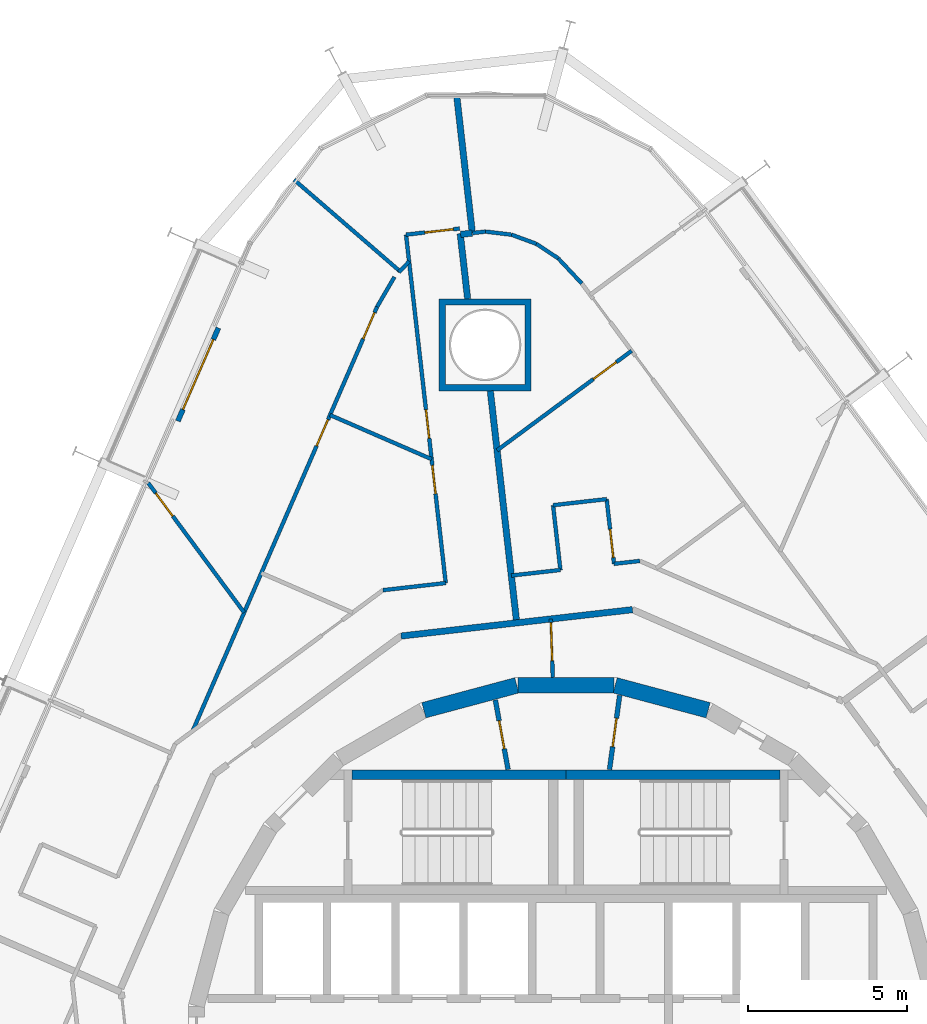
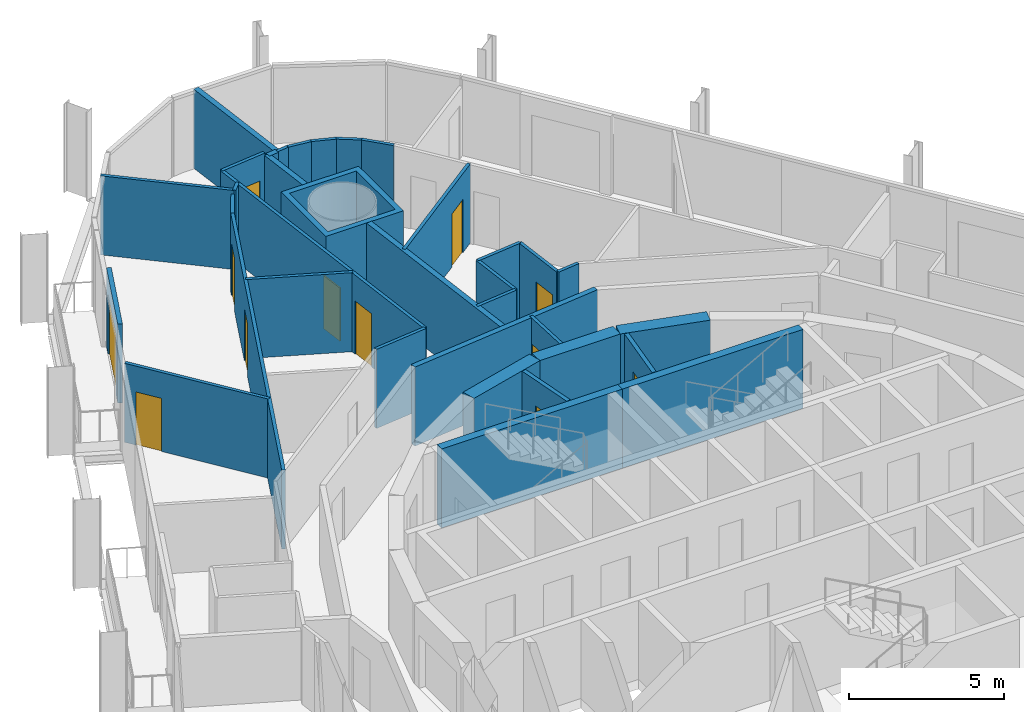
# One storey, part 21 of 24: 35 walls, 12 doors, 12 openings.
"""IFC4 building model written with IfcOpenShell, lengths in metres."""

import ifcopenshell
import ifcopenshell.guid

model = None  # the IFC model being written
_history = None  # IfcOwnerHistory: only IFC2X3 demands one
_inside = {}  # id of a spatial element -> (the spatial element, [elements in it])
_under = {}  # id of a project, library or spatial element -> (it, [spatial elements below it])
_declared = {}  # id of a project -> (the project, [libraries it declares])
_typed = {}  # id of a type object -> (the type object, [elements of that type])
_made_of = {}  # id of a material, layer set ... -> (it, [elements and type objects made of it])


def new_model(schema):
    """Start an empty IFC model of exactly this schema.

    Asked for "IFC4X3", IfcOpenShell would pick the latest addendum, in which some entities
    have other attributes; the version numbers below select the first issue.
    IFC2X3 requires an IfcOwnerHistory on every rooted entity: one is made here for all.
    """
    global model, _history
    if schema == "IFC4X3":
        model = ifcopenshell.file(schema_version=(4, 3, 0, 0))
    else:
        model = ifcopenshell.file(schema=schema)
    _inside.clear()
    _under.clear()
    _declared.clear()
    _typed.clear()
    _made_of.clear()
    _history = None
    if model.schema == "IFC2X3":
        org = make("IfcOrganization", Name="unknown")
        user = make(
            "IfcPersonAndOrganization",
            ThePerson=make("IfcPerson", FamilyName="unknown"),
            TheOrganization=org,
        )
        app = make(
            "IfcApplication",
            ApplicationDeveloper=org,
            Version="unknown",
            ApplicationFullName="unknown",
            ApplicationIdentifier="unknown",
        )
        _history = make(
            "IfcOwnerHistory",
            OwningUser=user,
            OwningApplication=app,
            ChangeAction="ADDED",
            CreationDate=0,
        )
    return model


def make(cls, **values):
    """One entity of the class cls with the attributes given. An attribute that is None is left unset."""
    return model.create_entity(
        cls, **{name: value for name, value in values.items() if value is not None}
    )


def rooted(cls, **values):
    """An entity with a GlobalId (a new one), such as an element, a storey or a relation."""
    return make(cls, GlobalId=ifcopenshell.guid.new(), OwnerHistory=_history, **values)


def si_unit(unit_type, name, prefix=None):
    """IfcSIUnit, for example si_unit("LENGTHUNIT", "METRE", prefix="MILLI")."""
    return make("IfcSIUnit", UnitType=unit_type, Prefix=prefix, Name=name)


def assignment(units):
    """IfcUnitAssignment: the units of a project."""
    return None if units is None else make("IfcUnitAssignment", Units=units)


def point(xyz):
    """IfcCartesianPoint."""
    return None if xyz is None else make("IfcCartesianPoint", Coordinates=xyz)


def direction(xyz):
    """IfcDirection."""
    return None if xyz is None else make("IfcDirection", DirectionRatios=xyz)


def frame(location, z_axis=None, x_axis=None):
    """IfcAxis2Placement3D, a coordinate frame: its origin and axes. An axis left out is left unset."""
    return make(
        "IfcAxis2Placement3D",
        Location=point(location),
        Axis=direction(z_axis),
        RefDirection=direction(x_axis),
    )


def frame_2d(location, x_axis=None):
    """IfcAxis2Placement2D, a coordinate frame in the plane: its origin and x axis."""
    return make(
        "IfcAxis2Placement2D", Location=point(location), RefDirection=direction(x_axis)
    )


def origin():
    """The frame at (0, 0, 0) with its axes left unset."""
    return frame((0.0, 0.0, 0.0))


def place(relative_to, where):
    """IfcLocalPlacement: puts the frame where relative to a parent placement (None: the world)."""
    return make(
        "IfcLocalPlacement", PlacementRelTo=relative_to, RelativePlacement=where
    )


def context(
    kind, dimensions, precision=None, world=None, true_north=None, identifier=None
):
    """IfcGeometricRepresentationContext, for example the 3D "Model" context."""
    return make(
        "IfcGeometricRepresentationContext",
        ContextIdentifier=identifier,
        ContextType=kind,
        CoordinateSpaceDimension=dimensions,
        Precision=precision,
        WorldCoordinateSystem=world,
        TrueNorth=true_north,
    )


def subcontext(parent, identifier, kind, view, scale=None):
    """IfcGeometricRepresentationSubContext, for example "Body" below "Model"."""
    return make(
        "IfcGeometricRepresentationSubContext",
        ContextIdentifier=identifier,
        ContextType=kind,
        ParentContext=parent,
        TargetScale=scale,
        TargetView=view,
    )


def project(units=None, contexts=None):
    """IfcProject with its units and contexts."""
    return rooted(
        "IfcProject",
        Name="project",
        RepresentationContexts=contexts,
        UnitsInContext=assignment(units),
    )


def spatial(cls, under=None, at=None, **own):
    """A site, building, storey or space (cls), placed at a placement, below another one or the project."""
    s = rooted(cls, ObjectPlacement=at, **own)
    if under is not None:
        _under.setdefault(under.id(), (under, []))[1].append(s)
    return s


def polyline(points):
    """IfcPolyline through the points."""
    return make("IfcPolyline", Points=[point(p) for p in points])


def profile(cls, at=None, kind="AREA", **sizes):
    """A parametric profile (cls). Its sizes go by their IFC names, for example OverallWidth=200.0."""
    return make(cls, ProfileType=kind, Position=at, **sizes)


def rectangle(**sizes):
    """IfcRectangleProfileDef."""
    return profile("IfcRectangleProfileDef", **sizes)


def outline(outer, holes=None, kind="AREA"):
    """IfcArbitraryClosedProfileDef: a profile drawn as a closed curve; with holes, ...WithVoids."""
    if holes is None:
        return make("IfcArbitraryClosedProfileDef", ProfileType=kind, OuterCurve=outer)
    return make(
        "IfcArbitraryProfileDefWithVoids",
        ProfileType=kind,
        OuterCurve=outer,
        InnerCurves=holes,
    )


def extrude(swept, where, along, depth):
    """IfcExtrudedAreaSolid: the profile swept, set in the frame where, extruded along a direction by depth."""
    return make(
        "IfcExtrudedAreaSolid",
        SweptArea=swept,
        Position=where,
        ExtrudedDirection=direction(along),
        Depth=depth,
    )


def shape(context_of_items, identifier, shape_type, items):
    """IfcShapeRepresentation: the items that make up one representation, for example the "Body"."""
    return make(
        "IfcShapeRepresentation",
        ContextOfItems=context_of_items,
        RepresentationIdentifier=identifier,
        RepresentationType=shape_type,
        Items=items,
    )


def material(Name=None, Category=None):
    """IfcMaterial."""
    return make("IfcMaterial", Name=Name, Category=Category)


def layer(
    of_material, thickness, ventilated=None, Name=None, Category=None, Priority=None
):
    """IfcMaterialLayer: one layer of a wall or slab, of a material (None: an air gap)."""
    return make(
        "IfcMaterialLayer",
        Material=of_material,
        LayerThickness=thickness,
        IsVentilated=ventilated,
        Name=Name,
        Category=Category,
        Priority=Priority,
    )


def layer_set(layers, Name=None):
    """IfcMaterialLayerSet."""
    return make("IfcMaterialLayerSet", MaterialLayers=layers, LayerSetName=Name)


def made_of(thing, what):
    """Note that an element or type object is made of a material, layer set ...; save() writes the relation."""
    if what is not None:
        _made_of.setdefault(what.id(), (what, []))[1].append(thing)
    return thing


def type_object(cls, material=None, **own):
    """A type object (cls), such as IfcWallType, which elements share."""
    return made_of(rooted(cls, **own), material)


def element(
    cls,
    number,
    at=None,
    inside=None,
    cuts=None,
    type_object=None,
    material=None,
    context=None,
    identifier="Body",
    shape_type=None,
    held_by="IfcProductDefinitionShape",
    body=None,
    shapes=None,
    **own,
):
    """One element of the class cls, such as IfcWall. Its Tag is "e" and its number.

    at: its placement. inside: the storey or other place that contains it. cuts: it is an
    opening in that element (IfcRelVoidsElement). A single representation is given by context,
    identifier, shape_type and body (its items); several are given by shapes. held_by: the class
    of the entity that holds the representations. save() writes the other relations.
    """
    e = rooted(cls, Tag="e%d" % number, ObjectPlacement=at, **own)
    if body is not None:
        shapes = [shape(context, identifier, shape_type, body)]
    if shapes is not None:
        e.Representation = make(held_by, Representations=shapes)
    if inside is not None:
        _inside.setdefault(inside.id(), (inside, []))[1].append(e)
    if cuts is not None:
        rooted(
            "IfcRelVoidsElement", RelatingBuildingElement=cuts, RelatedOpeningElement=e
        )
    if type_object is not None:
        _typed.setdefault(type_object.id(), (type_object, []))[1].append(e)
    return made_of(e, material)


def fill(opening, filler):
    """IfcRelFillsElement: the door or window that sits in an opening."""
    return rooted(
        "IfcRelFillsElement",
        RelatingOpeningElement=opening,
        RelatedBuildingElement=filler,
    )


def aggregate(whole, parts):
    """IfcRelAggregates: a whole, such as a stair, and the parts it consists of."""
    return rooted("IfcRelAggregates", RelatingObject=whole, RelatedObjects=parts)


def save(model, path):
    """Write the relations noted so far, then the file.

    IfcRelAggregates (storeys below a building ...), IfcRelContainedInSpatialStructure (elements
    in a storey), IfcRelDefinesByType, IfcRelAssociatesMaterial and IfcRelDeclares: one each for
    every whole, place, type object, material and project.
    """
    for whole, parts in _under.values():
        aggregate(whole, parts)
    for where, things in _inside.values():
        rooted(
            "IfcRelContainedInSpatialStructure",
            RelatedElements=things,
            RelatingStructure=where,
        )
    for kind, things in _typed.values():
        rooted("IfcRelDefinesByType", RelatedObjects=things, RelatingType=kind)
    for what, things in _made_of.values():
        rooted("IfcRelAssociatesMaterial", RelatedObjects=things, RelatingMaterial=what)
    for by, libraries in _declared.values():
        rooted("IfcRelDeclares", RelatingContext=by, RelatedDefinitions=libraries)
    model.write(path)


model = new_model("IFC4")

# Units and contexts
model_context = context("Model", 3, precision=1e-05, world=origin(), true_north=direction((0.0, 1.0)))
body_context = subcontext(model_context, "Body", "Model", "MODEL_VIEW")
ifc_project = project(units=[si_unit("LENGTHUNIT", "METRE"), si_unit("AREAUNIT", "SQUARE_METRE"), si_unit("VOLUMEUNIT", "CUBIC_METRE"), si_unit("PLANEANGLEUNIT", "RADIAN"), si_unit("MASSUNIT", "GRAM", prefix="KILO")], contexts=[model_context])

# Site, building, storey
site_placement = place(None, origin())
site = spatial("IfcSite", under=ifc_project, at=site_placement, CompositionType="ELEMENT")
building_placement = place(site_placement, origin())
building = spatial("IfcBuilding", under=site, at=building_placement, Name="Spindle Arch Residences", CompositionType="ELEMENT")
storey_placement = place(building_placement, frame((0.0, 0.0, 101.199951171875)))
storey = spatial("IfcBuildingStorey", under=building, at=storey_placement, Name="L24", CompositionType="ELEMENT", Elevation=101.199951171875)

# Walls
ifc_material_1 = material(Name="Concrete C50/60", Category="concrete")
ifc_layer_1 = layer(ifc_material_1, 0.5)
ifc_layer_set_1 = layer_set([ifc_layer_1], Name="Core outline wall 500")
wall_type_1 = type_object("IfcWallType", Name="Core outline wall 500", PredefinedType="SHEAR", material=ifc_layer_set_1)
for number, where, z_axis, x_axis, name in (
    (1, (4.479248046875, 10.858154296875, 0.0), (0.0, 0.0, 1.0), (-0.965948410781, 0.258734743916, 0.0), "Core outline wall 11"),
    (2, (1.516357421875, 11.647216796875, 0.0), (0.0, 0.0, 1.0), (-1.0, 0.0, 0.0), "Core outline wall 12"),
    (3, (-1.5498046875, 11.642822265625, 0.0), (0.0, 0.0, 1.0), (-0.965948410781, -0.258734743916, 0.0), "Core outline wall 13"),
):
    element("IfcWall", number, at=place(storey_placement, frame(where, z_axis=z_axis, x_axis=x_axis)), inside=storey, type_object=wall_type_1, Name=name, PredefinedType="SHEAR", context=body_context, shape_type="SweptSolid", body=[
        extrude(rectangle(XDim=3.03271484375, YDim=0.5, at=frame_2d((1.516357421875, 0.0))), origin(), (0.0, 0.0, 1.0), 3.1201171875),
    ])

# Wall, opening, door
ifc_material_2 = material(Name="Plasterboard on steel studs", Category="steel")
ifc_layer_2 = layer(ifc_material_2, 0.1201171875)
ifc_layer_set_2 = layer_set([ifc_layer_2], Name="Corridor division wall 120")
wall_type_2 = type_object("IfcWallType", Name="Corridor division wall 120", PredefinedType="PARTITIONING", material=ifc_layer_set_2)
wall_1_placement = place(storey_placement, frame((-0.4794921875, 13.73388671875, 0.0), z_axis=(0.0, 0.0, 1.0), x_axis=(0.034805430832, -0.999394107439, 0.0)))
wall_1 = element("IfcWall", 4, at=wall_1_placement, inside=storey, type_object=wall_type_2, Name="Corridor division wall R2C1-W001", PredefinedType="PARTITIONING", context=body_context, shape_type="SweptSolid", body=[
    extrude(rectangle(XDim=1.837890625, YDim=0.1201171875, at=frame_2d((0.9189453125, 0.0))), origin(), (0.0, 0.0, 1.0), 3.1201171875),
])
opening_1_placement = place(wall_1_placement, frame((0.114990234375, 0.0, 0.0)))
opening_1 = element("IfcOpeningElement", 5, at=opening_1_placement, cuts=wall_1, Name="Opening R2C1-CD01", PredefinedType="OPENING", context=body_context, shape_type="SweptSolid", body=[
    extrude(rectangle(XDim=1.199951171875, YDim=2.10009765625, at=frame_2d((0.60009765625, 1.050048828125))), frame((0.0, 0.070068359375, 0.0), z_axis=(0.0, -1.0, 0.0), x_axis=(1.0, 0.0, 0.0)), (0.0, 0.0, 1.0), 0.14013671875),
])
ifc_material_3 = material(Name="Steel, fire-resisting door", Category="steel")
door_type_1 = type_object("IfcDoorType", Name="Corridor division door 1200x2100", OperationType="NOTDEFINED", PredefinedType="DOOR", material=ifc_material_3)
door_1_placement = place(opening_1_placement, origin())
door_1 = element("IfcDoor", 6, at=door_1_placement, inside=storey, type_object=door_type_1, Name="Corridor division door R2C1-CD01", OperationType="DOUBLE_DOOR_SINGLE_SWING", OverallHeight=2.10009765625, OverallWidth=1.199951171875, PredefinedType="DOOR", context=body_context, shape_type="SweptSolid", body=[
    extrude(rectangle(XDim=1.199951171875, YDim=2.10009765625, at=frame_2d((0.60009765625, 1.050048828125))), frame((0.0, 0.02490234375, 0.0), z_axis=(0.0, -1.0, 0.0), x_axis=(1.0, 0.0, 0.0)), (0.0, 0.0, 1.0), 0.050048828125),
])
fill(opening_1, door_1)

# Walls
ifc_material_4 = material(Name="Calcium silicate block, plastered")
ifc_layer_3 = layer(ifc_material_4, 0.199951171875)
ifc_layer_set_3 = layer_set([ifc_layer_3], Name="Corridor wall 200")
wall_type_3 = type_object("IfcWallType", Name="Corridor wall 200", PredefinedType="STANDARD", material=ifc_layer_set_3)
wall_2_placement = place(storey_placement, frame((2.096435546875, 14.027587890625, 0.0), z_axis=(0.0, 0.0, 1.0), x_axis=(-0.993569170114, -0.113226782163, 0.0)))
element("IfcWall", 7, at=wall_2_placement, inside=storey, type_object=wall_type_3, Name="Corridor wall R2C1-W008", PredefinedType="STANDARD", context=body_context, shape_type="SweptSolid", body=[
    extrude(rectangle(XDim=7.341796875, YDim=0.199951171875, at=frame_2d((3.6708984375, 0.0))), origin(), (0.0, 0.0, 1.0), 3.1201171875),
])
ifc_material_5 = material(Name="Plasterboard on steel studs", Category="steel")
ifc_layer_4 = layer(ifc_material_5, 0.1201171875)
ifc_layer_set_4 = layer_set([ifc_layer_4], Name="Flat partition 120")
wall_type_4 = type_object("IfcWallType", Name="Flat partition 120", PredefinedType="PARTITIONING", material=ifc_layer_set_4)
wall_3_placement = place(storey_placement, frame((2.325927734375, 15.563232421875, 0.0), z_axis=(0.0, 0.0, 1.0), x_axis=(-0.993570169982, -0.113218007944, 0.0)))
element("IfcWall", 8, at=wall_3_placement, inside=storey, type_object=wall_type_4, Name="Flat partition R2C1-W051", PredefinedType="PARTITIONING", context=body_context, shape_type="SweptSolid", body=[
    extrude(rectangle(XDim=0.8173828125, YDim=0.1201171875, at=frame_2d((0.40869140625, 0.0))), origin(), (0.0, 0.0, 1.0), 3.1201171875),
])

# Wall, opening, door
wall_4_placement = place(storey_placement, frame((1.513916015625, 15.470703125, 0.0), z_axis=(0.0, 0.0, 1.0), x_axis=(-0.113301814952, 0.993560616535, 0.0)))
wall_4 = element("IfcWall", 9, at=wall_4_placement, inside=storey, type_object=wall_type_4, Name="Flat partition R2C1-W052", PredefinedType="PARTITIONING", context=body_context, shape_type="SweptSolid", body=[
    extrude(rectangle(XDim=2.053466796875, YDim=0.1201171875, at=frame_2d((1.02685546875, 0.0))), origin(), (0.0, 0.0, 1.0), 3.1201171875),
])
opening_2_placement = place(wall_4_placement, frame((0.199951171875, 0.0, 0.0)))
opening_2 = element("IfcOpeningElement", 10, at=opening_2_placement, cuts=wall_4, Name="Opening R2C1-ID08", PredefinedType="OPENING", context=body_context, shape_type="SweptSolid", body=[
    extrude(rectangle(XDim=0.89990234375, YDim=2.10009765625, at=frame_2d((0.449951171875, 1.050048828125))), frame((0.0, 0.070068359375, 0.0), z_axis=(0.0, -1.0, 0.0), x_axis=(1.0, 0.0, 0.0)), (0.0, 0.0, 1.0), 0.14013671875),
])
ifc_material_6 = material(Name="Timber door set", Category="wood")
door_type_2 = type_object("IfcDoorType", Name="Room door 900x2100", OperationType="NOTDEFINED", PredefinedType="DOOR", material=ifc_material_6)
door_2_placement = place(opening_2_placement, origin())
door_2 = element("IfcDoor", 11, at=door_2_placement, inside=storey, type_object=door_type_2, Name="Room door R2C1-ID08", OperationType="SINGLE_SWING_RIGHT", OverallHeight=2.10009765625, OverallWidth=0.89990234375, PredefinedType="DOOR", context=body_context, shape_type="SweptSolid", body=[
    extrude(rectangle(XDim=0.89990234375, YDim=2.10009765625, at=frame_2d((0.449951171875, 1.050048828125))), frame((0.0, 0.02490234375, 0.0), z_axis=(0.0, -1.0, 0.0), x_axis=(1.0, 0.0, 0.0)), (0.0, 0.0, 1.0), 0.050048828125),
])
fill(opening_2, door_2)

# Walls
wall_5_placement = place(storey_placement, frame((1.28125, 17.510986328125, 0.0), z_axis=(0.0, 0.0, 1.0), x_axis=(-0.993575191649, -0.113173930474, 0.0)))
element("IfcWall", 12, at=wall_5_placement, inside=storey, type_object=wall_type_4, Name="Flat partition R2C1-W053", PredefinedType="PARTITIONING", context=body_context, shape_type="SweptSolid", body=[
    extrude(rectangle(XDim=1.699951171875, YDim=0.1201171875, at=frame_2d((0.85009765625, 0.0))), origin(), (0.0, 0.0, 1.0), 3.1201171875),
])
wall_6_placement = place(storey_placement, frame((-0.40771484375, 17.318603515625, 0.0), z_axis=(0.0, 0.0, 1.0), x_axis=(0.113184449176, -0.993573993452, 0.0)))
element("IfcWall", 13, at=wall_6_placement, inside=storey, type_object=wall_type_4, Name="Flat partition R2C1-W054", PredefinedType="PARTITIONING", context=body_context, shape_type="SweptSolid", body=[
    extrude(rectangle(XDim=2.053466796875, YDim=0.1201171875, at=frame_2d((1.02685546875, 0.0))), origin(), (0.0, 0.0, 1.0), 3.1201171875),
])
wall_7_placement = place(storey_placement, frame((-0.17529296875, 15.2783203125, 0.0), z_axis=(0.0, 0.0, 1.0), x_axis=(-0.993575604955, -0.113170301923, 0.0)))
element("IfcWall", 14, at=wall_7_placement, inside=storey, type_object=wall_type_4, Name="Flat partition R2C1-W055", PredefinedType="PARTITIONING", context=body_context, shape_type="SweptSolid", body=[
    extrude(rectangle(XDim=1.555419921875, YDim=0.1201171875, at=frame_2d((0.77783203125, 0.0))), origin(), (0.0, 0.0, 1.0), 3.1201171875),
])

# Wall, opening, door
wall_8_placement = place(storey_placement, frame((2.068359375, 22.182861328125, 0.0), z_axis=(0.0, 0.0, 1.0), x_axis=(-0.803867138365, -0.594808896921, 0.0)))
wall_8 = element("IfcWall", 15, at=wall_8_placement, inside=storey, type_object=wall_type_4, Name="Flat partition R2C1-W060", PredefinedType="PARTITIONING", context=body_context, shape_type="SweptSolid", body=[
    extrude(rectangle(XDim=5.272705078125, YDim=0.1201171875, at=frame_2d((2.63623046875, 0.0))), origin(), (0.0, 0.0, 1.0), 3.1201171875),
])
opening_3_placement = place(wall_8_placement, frame((0.60009765625, 0.0, 0.0)))
opening_3 = element("IfcOpeningElement", 16, at=opening_3_placement, cuts=wall_8, Name="Opening R2C1-ID10", PredefinedType="OPENING", context=body_context, shape_type="SweptSolid", body=[
    extrude(rectangle(XDim=0.89990234375, YDim=2.10009765625, at=frame_2d((0.449951171875, 1.050048828125))), frame((0.0, 0.070068359375, 0.0), z_axis=(0.0, -1.0, 0.0), x_axis=(1.0, 0.0, 0.0)), (0.0, 0.0, 1.0), 0.14013671875),
])
door_3_placement = place(opening_3_placement, origin())
door_3 = element("IfcDoor", 17, at=door_3_placement, inside=storey, type_object=door_type_2, Name="Room door R2C1-ID10", OperationType="SINGLE_SWING_RIGHT", OverallHeight=2.10009765625, OverallWidth=0.89990234375, PredefinedType="DOOR", context=body_context, shape_type="SweptSolid", body=[
    extrude(rectangle(XDim=0.89990234375, YDim=2.10009765625, at=frame_2d((0.449951171875, 1.050048828125))), frame((0.0, 0.02490234375, 0.0), z_axis=(0.0, -1.0, 0.0), x_axis=(1.0, 0.0, 0.0)), (0.0, 0.0, 1.0), 0.050048828125),
])
fill(opening_3, door_3)

# Walls
wall_9_placement = place(storey_placement, frame((-2.9501953125, 25.893310546875, 0.0), z_axis=(0.0, 0.0, 1.0), x_axis=(0.993519378224, 0.113662857141, 0.0)))
element("IfcWall", 18, at=wall_9_placement, inside=storey, type_object=wall_type_4, Name="Flat partition R2C1-W061", PredefinedType="PARTITIONING", context=body_context, shape_type="SweptSolid", body=[
    extrude(rectangle(XDim=0.41455078125, YDim=0.1201171875, at=frame_2d((0.207275390625, 0.0))), origin(), (0.0, 0.0, 1.0), 3.1201171875),
])
for number, where, z_axis, x_axis, name in (
    (19, (-2.538330078125, 25.9404296875, 0.0), (0.0, 0.0, 1.0), (0.992894945409, -0.118994232556, 0.0), "Flat partition R2C1-W062"),
    (20, (-1.71533203125, 25.841796875, 0.0), (0.0, 0.0, 1.0), (0.938644465852, -0.344886309856, 0.0), "Flat partition R2C1-W063"),
    (21, (-0.937255859375, 25.555908203125, 0.0), (0.0, 0.0, 1.0), (0.833858440069, -0.551978352769, 0.0), "Flat partition R2C1-W064"),
):
    element("IfcWall", number, at=place(storey_placement, frame(where, z_axis=z_axis, x_axis=x_axis)), inside=storey, type_object=wall_type_4, Name=name, PredefinedType="PARTITIONING", context=body_context, shape_type="SweptSolid", body=[
        extrude(rectangle(XDim=0.828857421875, YDim=0.1201171875, at=frame_2d((0.41455078125, 0.0))), origin(), (0.0, 0.0, 1.0), 3.1201171875),
    ])
wall_10_placement = place(storey_placement, frame((-0.24609375, 25.098388671875, 0.0), z_axis=(0.0, 0.0, 1.0), x_axis=(0.684172712488, -0.729320025426, 0.0)))
element("IfcWall", 22, at=wall_10_placement, inside=storey, type_object=wall_type_4, Name="Flat partition R2C1-W065", PredefinedType="PARTITIONING", context=body_context, shape_type="SweptSolid", body=[
    extrude(rectangle(XDim=1.0869140625, YDim=0.1201171875, at=frame_2d((0.54345703125, 0.0))), origin(), (0.0, 0.0, 1.0), 3.1201171875),
])

# Wall, opening, door
wall_11_placement = place(storey_placement, frame((-3.351318359375, 26.035888671875, 0.0), z_axis=(0.0, 0.0, 1.0), x_axis=(-0.993575191649, -0.113173930474, 0.0)))
wall_11 = element("IfcWall", 23, at=wall_11_placement, inside=storey, type_object=wall_type_4, Name="Flat partition R2C1-W066", PredefinedType="PARTITIONING", context=body_context, shape_type="SweptSolid", body=[
    extrude(rectangle(XDim=1.699951171875, YDim=0.1201171875, at=frame_2d((0.85009765625, 0.0))), origin(), (0.0, 0.0, 1.0), 3.1201171875),
])
opening_4_placement = place(wall_11_placement, frame((0.199951171875, 0.0, 0.0)))
opening_4 = element("IfcOpeningElement", 24, at=opening_4_placement, cuts=wall_11, Name="Opening R2C1-ID14", PredefinedType="OPENING", context=body_context, shape_type="SweptSolid", body=[
    extrude(rectangle(XDim=0.89990234375, YDim=2.10009765625, at=frame_2d((0.449951171875, 1.050048828125))), frame((0.0, 0.070068359375, 0.0), z_axis=(0.0, -1.0, 0.0), x_axis=(1.0, 0.0, 0.0)), (0.0, 0.0, 1.0), 0.14013671875),
])
door_4_placement = place(opening_4_placement, origin())
door_4 = element("IfcDoor", 25, at=door_4_placement, inside=storey, type_object=door_type_2, Name="Room door R2C1-ID14", OperationType="SINGLE_SWING_RIGHT", OverallHeight=2.10009765625, OverallWidth=0.89990234375, PredefinedType="DOOR", context=body_context, shape_type="SweptSolid", body=[
    extrude(rectangle(XDim=0.89990234375, YDim=2.10009765625, at=frame_2d((0.449951171875, 1.050048828125))), frame((0.0, 0.02490234375, 0.0), z_axis=(0.0, -1.0, 0.0), x_axis=(1.0, 0.0, 0.0)), (0.0, 0.0, 1.0), 0.050048828125),
])
fill(opening_4, door_4)

# Wall, openings, doors
wall_12_placement = place(storey_placement, frame((-5.040283203125, 25.843505859375, 0.0), z_axis=(0.0, 0.0, 1.0), x_axis=(0.1132106553, -0.993571007793, 0.0)))
wall_12 = element("IfcWall", 26, at=wall_12_placement, inside=storey, type_object=wall_type_4, Name="Flat partition R2C1-W067", PredefinedType="PARTITIONING", context=body_context, shape_type="SweptSolid", body=[
    extrude(rectangle(XDim=11.0478515625, YDim=0.1201171875, at=frame_2d((5.52392578125, 0.0))), origin(), (0.0, 0.0, 1.0), 3.1201171875),
])
opening_5_placement = place(wall_12_placement, frame((5.55126953125, 0.0, 0.0)))
opening_5 = element("IfcOpeningElement", 27, at=opening_5_placement, cuts=wall_12, Name="Opening R2C1-ID15", PredefinedType="OPENING", context=body_context, shape_type="SweptSolid", body=[
    extrude(rectangle(XDim=0.89990234375, YDim=2.10009765625, at=frame_2d((0.449951171875, 1.050048828125))), frame((0.0, 0.070068359375, 0.0), z_axis=(0.0, -1.0, 0.0), x_axis=(1.0, 0.0, 0.0)), (0.0, 0.0, 1.0), 0.14013671875),
])
opening_6_placement = place(wall_12_placement, frame((7.320068359375, 0.0, 0.0)))
opening_6 = element("IfcOpeningElement", 28, at=opening_6_placement, cuts=wall_12, Name="Opening R2C1-ID16", PredefinedType="OPENING", context=body_context, shape_type="SweptSolid", body=[
    extrude(rectangle(XDim=0.89990234375, YDim=2.10009765625, at=frame_2d((0.449951171875, 1.050048828125))), frame((0.0, 0.070068359375, 0.0), z_axis=(0.0, -1.0, 0.0), x_axis=(1.0, 0.0, 0.0)), (0.0, 0.0, 1.0), 0.14013671875),
])
door_5_placement = place(opening_5_placement, origin())
door_5 = element("IfcDoor", 29, at=door_5_placement, inside=storey, type_object=door_type_2, Name="Room door R2C1-ID15", OperationType="SINGLE_SWING_LEFT", OverallHeight=2.10009765625, OverallWidth=0.89990234375, PredefinedType="DOOR", context=body_context, shape_type="SweptSolid", body=[
    extrude(rectangle(XDim=0.89990234375, YDim=2.10009765625, at=frame_2d((0.449951171875, 1.050048828125))), frame((0.0, 0.02490234375, 0.0), z_axis=(0.0, -1.0, 0.0), x_axis=(1.0, 0.0, 0.0)), (0.0, 0.0, 1.0), 0.050048828125),
])
fill(opening_5, door_5)
door_6_placement = place(opening_6_placement, origin())
door_6 = element("IfcDoor", 30, at=door_6_placement, inside=storey, type_object=door_type_2, Name="Room door R2C1-ID16", OperationType="SINGLE_SWING_LEFT", OverallHeight=2.10009765625, OverallWidth=0.89990234375, PredefinedType="DOOR", context=body_context, shape_type="SweptSolid", body=[
    extrude(rectangle(XDim=0.89990234375, YDim=2.10009765625, at=frame_2d((0.449951171875, 1.050048828125))), frame((0.0, 0.02490234375, 0.0), z_axis=(0.0, -1.0, 0.0), x_axis=(1.0, 0.0, 0.0)), (0.0, 0.0, 1.0), 0.050048828125),
])
fill(opening_6, door_6)

# Walls
wall_13_placement = place(storey_placement, frame((-3.78955078125, 14.86669921875, 0.0), z_axis=(0.0, 0.0, 1.0), x_axis=(-0.993557948123, -0.113325212204, 0.0)))
element("IfcWall", 31, at=wall_13_placement, inside=storey, type_object=wall_type_4, Name="Flat partition R2C1-W068", PredefinedType="PARTITIONING", context=body_context, shape_type="SweptSolid", body=[
    extrude(rectangle(XDim=1.99072265625, YDim=0.1201171875, at=frame_2d((0.995361328125, 0.0))), origin(), (0.0, 0.0, 1.0), 3.1201171875),
])
wall_14_placement = place(storey_placement, frame((-5.261474609375, 24.662841796875, 0.0), z_axis=(0.0, 0.0, 1.0), x_axis=(0.688346106747, 0.725382407648, 0.0)))
element("IfcWall", 32, at=wall_14_placement, inside=storey, type_object=wall_type_4, Name="Flat partition R2C1-W075", PredefinedType="PARTITIONING", context=body_context, shape_type="SweptSolid", body=[
    extrude(rectangle(XDim=0.46142578125, YDim=0.1201171875, at=frame_2d((0.230712890625, 0.0))), origin(), (0.0, 0.0, 1.0), 3.1201171875),
])
wall_15_placement = place(storey_placement, frame((-8.56591796875, 27.57275390625, 0.0), z_axis=(0.0, 0.0, 1.0), x_axis=(0.756463964606, -0.654035373854, 0.0)))
element("IfcWall", 33, at=wall_15_placement, inside=storey, type_object=wall_type_4, Name="Flat partition R2C1-W076", PredefinedType="PARTITIONING", context=body_context, shape_type="SweptSolid", body=[
    extrude(rectangle(XDim=4.40478515625, YDim=0.1201171875, at=frame_2d((2.202392578125, 0.0))), origin(), (0.0, 0.0, 1.0), 3.1201171875),
])
wall_16_placement = place(storey_placement, frame((-7.43505859375, 20.160888671875, 0.0), z_axis=(0.0, 0.0, 1.0), x_axis=(0.917055599503, -0.398759360291, 0.0)))
element("IfcWall", 34, at=wall_16_placement, inside=storey, type_object=wall_type_4, Name="Flat partition R2C1-W077", PredefinedType="PARTITIONING", context=body_context, shape_type="SweptSolid", body=[
    extrude(rectangle(XDim=3.490478515625, YDim=0.1201171875, at=frame_2d((1.7451171875, 0.0))), origin(), (0.0, 0.0, 1.0), 3.1201171875),
])
wall_17_placement = place(storey_placement, frame((-5.40625, 24.510498046875, 0.0), z_axis=(0.0, 0.0, 1.0), x_axis=(-0.502487709822, -0.864584351858, 0.0)))
element("IfcWall", 35, at=wall_17_placement, inside=storey, type_object=wall_type_4, Name="Flat partition R2C1-W078", PredefinedType="PARTITIONING", context=body_context, shape_type="SweptSolid", body=[
    extrude(rectangle(XDim=1.0869140625, YDim=0.1201171875, at=frame_2d((0.54345703125, 0.0))), origin(), (0.0, 0.0, 1.0), 3.1201171875),
])

# Wall, openings, doors
wall_18_placement = place(storey_placement, frame((-5.952392578125, 23.57080078125, 0.0), z_axis=(0.0, 0.0, 1.0), x_axis=(-0.398745097158, -0.917061801348, 0.0)))
wall_18 = element("IfcWall", 36, at=wall_18_placement, inside=storey, type_object=wall_type_4, Name="Flat partition R2C1-W079", PredefinedType="PARTITIONING", context=body_context, shape_type="SweptSolid", body=[
    extrude(rectangle(XDim=14.576416015625, YDim=0.1201171875, at=frame_2d((7.2880859375, 0.0))), origin(), (0.0, 0.0, 1.0), 3.1201171875),
])
opening_7_placement = place(wall_18_placement, frame((3.878173828125, 0.0, 0.0)))
opening_7 = element("IfcOpeningElement", 37, at=opening_7_placement, cuts=wall_18, Name="Opening R2C1-ID18", PredefinedType="OPENING", context=body_context, shape_type="SweptSolid", body=[
    extrude(rectangle(XDim=0.89990234375, YDim=2.10009765625, at=frame_2d((0.449951171875, 1.050048828125))), frame((0.0, 0.070068359375, 0.0), z_axis=(0.0, -1.0, 0.0), x_axis=(1.0, 0.0, 0.0)), (0.0, 0.0, 1.0), 0.14013671875),
])
opening_8_placement = place(wall_18_placement, frame((0.199951171875, 0.0, 0.0)))
opening_8 = element("IfcOpeningElement", 38, at=opening_8_placement, cuts=wall_18, Name="Opening R2C1-ID20", PredefinedType="OPENING", context=body_context, shape_type="SweptSolid", body=[
    extrude(rectangle(XDim=0.89990234375, YDim=2.10009765625, at=frame_2d((0.449951171875, 1.050048828125))), frame((0.0, 0.070068359375, 0.0), z_axis=(0.0, -1.0, 0.0), x_axis=(1.0, 0.0, 0.0)), (0.0, 0.0, 1.0), 0.14013671875),
])
door_7_placement = place(opening_7_placement, origin())
door_7 = element("IfcDoor", 39, at=door_7_placement, inside=storey, type_object=door_type_2, Name="Room door R2C1-ID18", OperationType="SINGLE_SWING_LEFT", OverallHeight=2.10009765625, OverallWidth=0.89990234375, PredefinedType="DOOR", context=body_context, shape_type="SweptSolid", body=[
    extrude(rectangle(XDim=0.89990234375, YDim=2.10009765625, at=frame_2d((0.449951171875, 1.050048828125))), frame((0.0, 0.02490234375, 0.0), z_axis=(0.0, -1.0, 0.0), x_axis=(1.0, 0.0, 0.0)), (0.0, 0.0, 1.0), 0.050048828125),
])
fill(opening_7, door_7)
door_8_placement = place(opening_8_placement, origin())
door_8 = element("IfcDoor", 40, at=door_8_placement, inside=storey, type_object=door_type_2, Name="Room door R2C1-ID20", OperationType="SINGLE_SWING_RIGHT", OverallHeight=2.10009765625, OverallWidth=0.89990234375, PredefinedType="DOOR", context=body_context, shape_type="SweptSolid", body=[
    extrude(rectangle(XDim=0.89990234375, YDim=2.10009765625, at=frame_2d((0.449951171875, 1.050048828125))), frame((0.0, 0.02490234375, 0.0), z_axis=(0.0, -1.0, 0.0), x_axis=(1.0, 0.0, 0.0)), (0.0, 0.0, 1.0), 0.050048828125),
])
fill(opening_8, door_8)

# Wall, opening, door
wall_19_placement = place(storey_placement, frame((-13.1630859375, 18.021728515625, 0.0), z_axis=(0.0, 0.0, 1.0), x_axis=(0.594797671626, -0.803875444226, 0.0)))
wall_19 = element("IfcWall", 41, at=wall_19_placement, inside=storey, type_object=wall_type_4, Name="Flat partition R2C1-W081", PredefinedType="PARTITIONING", context=body_context, shape_type="SweptSolid", body=[
    extrude(rectangle(XDim=5.08056640625, YDim=0.1201171875, at=frame_2d((2.540283203125, 0.0))), origin(), (0.0, 0.0, 1.0), 3.1201171875),
])
opening_9_placement = place(wall_19_placement, frame((0.39990234375, 0.0, 0.0)))
opening_9 = element("IfcOpeningElement", 42, at=opening_9_placement, cuts=wall_19, Name="Opening R2C1-ID19", PredefinedType="OPENING", context=body_context, shape_type="SweptSolid", body=[
    extrude(rectangle(XDim=0.89990234375, YDim=2.10009765625, at=frame_2d((0.449951171875, 1.050048828125))), frame((0.0, 0.070068359375, 0.0), z_axis=(0.0, -1.0, 0.0), x_axis=(1.0, 0.0, 0.0)), (0.0, 0.0, 1.0), 0.14013671875),
])
door_9_placement = place(opening_9_placement, origin())
door_9 = element("IfcDoor", 43, at=door_9_placement, inside=storey, type_object=door_type_2, Name="Room door R2C1-ID19", OperationType="SINGLE_SWING_RIGHT", OverallHeight=2.10009765625, OverallWidth=0.89990234375, PredefinedType="DOOR", context=body_context, shape_type="SweptSolid", body=[
    extrude(rectangle(XDim=0.89990234375, YDim=2.10009765625, at=frame_2d((0.449951171875, 1.050048828125))), frame((0.0, 0.02490234375, 0.0), z_axis=(0.0, -1.0, 0.0), x_axis=(1.0, 0.0, 0.0)), (0.0, 0.0, 1.0), 0.050048828125),
])
fill(opening_9, door_9)

# Walls
ifc_material_7 = material(Name="Calcium silicate block, plastered")
ifc_layer_5 = layer(ifc_material_7, 0.199951171875)
ifc_layer_set_5 = layer_set([ifc_layer_5], Name="Flat party wall 200")
wall_type_5 = type_object("IfcWallType", Name="Flat party wall 200", PredefinedType="STANDARD", material=ifc_layer_set_5)
wall_20_placement = place(storey_placement, frame((-2.384521484375, 20.92041015625, 0.0), z_axis=(0.0, 0.0, 1.0), x_axis=(0.113177776247, -0.993574753586, 0.0)))
element("IfcWall", 44, at=wall_20_placement, inside=storey, type_object=wall_type_5, Name="Flat party wall R2C1-W020", PredefinedType="STANDARD", context=body_context, shape_type="SweptSolid", body=[
    extrude(rectangle(XDim=7.35595703125, YDim=0.199951171875, at=frame_2d((3.677978515625, 0.0))), origin(), (0.0, 0.0, 1.0), 3.1201171875),
])
wall_21_placement = place(storey_placement, frame((-3.4482421875, 30.26513671875, 0.0), z_axis=(0.0, 0.0, 1.0), x_axis=(0.113189797494, -0.993573384176, 0.0)))
element("IfcWall", 45, at=wall_21_placement, inside=storey, type_object=wall_type_5, Name="Flat party wall R2C1-W021", PredefinedType="STANDARD", context=body_context, shape_type="SweptSolid", body=[
    extrude(rectangle(XDim=4.400146484375, YDim=0.199951171875, at=frame_2d((2.2001953125, 0.0))), origin(), (0.0, 0.0, 1.0), 3.1201171875),
])
wall_22_placement = place(storey_placement, frame((-3.333251953125, 25.878662109375, 0.0), z_axis=(0.0, 0.0, 1.0), x_axis=(0.113250782095, -0.993566434797, 0.0)))
element("IfcWall", 46, at=wall_22_placement, inside=storey, type_object=wall_type_5, Name="Flat party wall R2C1-W022", PredefinedType="STANDARD", context=body_context, shape_type="SweptSolid", body=[
    extrude(rectangle(XDim=2.07177734375, YDim=0.199951171875, at=frame_2d((1.035888671875, 0.0))), origin(), (0.0, 0.0, 1.0), 3.1201171875),
])
wall_23_placement = place(storey_placement, frame((-2.960205078125, 25.892333984375, 0.0), z_axis=(0.0, 0.0, 1.0), x_axis=(-0.993567388358, -0.113242416041, 0.0)))
element("IfcWall", 47, at=wall_23_placement, inside=storey, type_object=wall_type_5, Name="Flat party wall R2C1-W023", PredefinedType="STANDARD", context=body_context, shape_type="SweptSolid", body=[
    extrude(rectangle(XDim=0.3623046875, YDim=0.199951171875, at=frame_2d((0.18115234375, 0.0))), origin(), (0.0, 0.0, 1.0), 3.1201171875),
])

# Wall, opening, door
ifc_material_8 = material(Name="Non-combustible mineral wool insulated aluminium faced external wall (K0)", Category="aluminium")
ifc_layer_6 = layer(ifc_material_8, 0.159912109375)
ifc_layer_set_6 = layer_set([ifc_layer_6], Name="Insulated external wall panel 160")
wall_type_6 = type_object("IfcWallType", Name="Insulated external wall panel 160", PredefinedType="STANDARD", material=ifc_layer_set_6)
wall_24_placement = place(storey_placement, frame((-10.95263671875, 22.90478515625, 0.0), z_axis=(0.0, 0.0, 1.0), x_axis=(-0.398784695066, -0.917044582876, 0.0)))
wall_24 = element("IfcWall", 48, at=wall_24_placement, inside=storey, type_object=wall_type_6, Name="External wall L24 bay 14", PredefinedType="STANDARD", context=body_context, shape_type="SweptSolid", body=[
    extrude(rectangle(XDim=3.199951171875, YDim=0.159912109375, at=frame_2d((1.60009765625, 0.0))), origin(), (0.0, 0.0, 1.0), 3.1201171875),
])
opening_10_placement = place(wall_24_placement, frame((0.39990234375, 0.0, 0.0)))
opening_10 = element("IfcOpeningElement", 49, at=opening_10_placement, cuts=wall_24, Name="Opening BD14", PredefinedType="OPENING", context=body_context, shape_type="SweptSolid", body=[
    extrude(rectangle(XDim=2.39990234375, YDim=2.39990234375, at=frame_2d((1.199951171875, 1.199951171875))), frame((0.0, 0.08984375, 0.0), z_axis=(0.0, -1.0, 0.0), x_axis=(1.0, 0.0, 0.0)), (0.0, 0.0, 1.0), 0.179931640625),
])
ifc_material_9 = material(Name="Bronze aluminium frame, tinted double glazing", Category="aluminium")
door_type_3 = type_object("IfcDoorType", Name="Sliding glazed balcony door 2400x2400", OperationType="DOUBLE_DOOR_SLIDING", PredefinedType="DOOR", material=ifc_material_9)
door_10_placement = place(opening_10_placement, origin())
door_10 = element("IfcDoor", 50, at=door_10_placement, inside=storey, type_object=door_type_3, Name="Balcony door BD14", OperationType="DOUBLE_DOOR_SLIDING", OverallHeight=2.39990234375, OverallWidth=2.39990234375, PredefinedType="DOOR", context=body_context, shape_type="SweptSolid", body=[
    extrude(rectangle(XDim=2.39990234375, YDim=2.39990234375, at=frame_2d((1.199951171875, 1.199951171875))), frame((0.0, 0.02490234375, 0.0), z_axis=(0.0, -1.0, 0.0), x_axis=(1.0, 0.0, 0.0)), (0.0, 0.0, 1.0), 0.050048828125),
])
fill(opening_10, door_10)

# Wall
ifc_material_10 = material(Name="Calcium silicate block, plastered")
ifc_layer_7 = layer(ifc_material_10, 0.199951171875)
ifc_layer_set_7 = layer_set([ifc_layer_7], Name="Mega-column casing wall 200")
wall_type_7 = type_object("IfcWallType", Name="Mega-column casing wall 200", PredefinedType="STANDARD", material=ifc_layer_set_7)
wall_25_placement = place(storey_placement, origin())
element("IfcWall", 51, at=wall_25_placement, inside=storey, type_object=wall_type_7, Name="Mega-column casing wall R2C1-WC01", PredefinedType="STANDARD", context=body_context, shape_type="SweptSolid", body=[
    extrude(outline(polyline([(-1.098876953125, 23.8203125), (-1.098876953125, 20.92041015625), (-3.998779296875, 20.92041015625), (-3.998779296875, 23.8203125), (-1.098876953125, 23.8203125)]), holes=[polyline([(-3.798828125, 21.120361328125), (-1.298828125, 21.120361328125), (-1.298828125, 23.620361328125), (-3.798828125, 23.620361328125), (-3.798828125, 21.120361328125)])]), origin(), (0.0, 0.0, 1.0), 3.1201171875),
])

# Wall, opening, door
ifc_material_11 = material(Name="Concrete C25/30", Category="concrete")
ifc_layer_8 = layer(ifc_material_11, 0.14990234375)
ifc_layer_set_8 = layer_set([ifc_layer_8], Name="Service room partition 150")
wall_type_8 = type_object("IfcWallType", Name="Service room partition 150", PredefinedType="PARTITIONING", material=ifc_layer_set_8)
wall_26_placement = place(storey_placement, frame((1.69091796875, 11.32568359375, 0.0), z_axis=(0.0, 0.0, 1.0), x_axis=(-0.135344253201, -0.990798633994, 0.0)))
wall_26 = element("IfcWall", 52, at=wall_26_placement, inside=storey, type_object=wall_type_8, Name="Core service room partition", PredefinedType="PARTITIONING", context=body_context, shape_type="SweptSolid", body=[
    extrude(rectangle(XDim=2.357666015625, YDim=0.14990234375, at=frame_2d((1.1787109375, 0.0))), origin(), (0.0, 0.0, 1.0), 3.1201171875),
])
opening_11_placement = place(wall_26_placement, frame((0.728759765625, 0.0, 0.0)))
opening_11 = element("IfcOpeningElement", 53, at=opening_11_placement, cuts=wall_26, Name="Opening R2C1-WD06", PredefinedType="OPENING", context=body_context, shape_type="SweptSolid", body=[
    extrude(rectangle(XDim=0.89990234375, YDim=2.10009765625, at=frame_2d((0.449951171875, 1.050048828125))), frame((0.0, 0.0849609375, 0.0), z_axis=(0.0, -1.0, 0.0), x_axis=(1.0, 0.0, 0.0)), (0.0, 0.0, 1.0), 0.169921875),
])
ifc_material_12 = material(Name="Steel, fire-resisting door", Category="steel")
door_type_4 = type_object("IfcDoorType", Name="Service room door 900x2100", OperationType="SINGLE_SWING_LEFT", PredefinedType="DOOR", material=ifc_material_12)
door_11_placement = place(opening_11_placement, origin())
door_11 = element("IfcDoor", 54, at=door_11_placement, inside=storey, type_object=door_type_4, Name="Service room door R2C1-WD06", OperationType="SINGLE_SWING_LEFT", OverallHeight=2.10009765625, OverallWidth=0.89990234375, PredefinedType="DOOR", context=body_context, shape_type="SweptSolid", body=[
    extrude(rectangle(XDim=0.89990234375, YDim=2.10009765625, at=frame_2d((0.449951171875, 1.050048828125))), frame((0.0, 0.02490234375, 0.0), z_axis=(0.0, -1.0, 0.0), x_axis=(1.0, 0.0, 0.0)), (0.0, 0.0, 1.0), 0.050048828125),
])
fill(opening_11, door_11)

wall_27_placement = place(storey_placement, frame((-1.824951171875, 8.98974609375, 0.0), z_axis=(0.0, 0.0, 1.0), x_axis=(-0.179955206115, 0.983674805915, 0.0)))
wall_27 = element("IfcWall", 55, at=wall_27_placement, inside=storey, type_object=wall_type_8, Name="Core service room partition", PredefinedType="PARTITIONING", context=body_context, shape_type="SweptSolid", body=[
    extrude(rectangle(XDim=2.22900390625, YDim=0.14990234375, at=frame_2d((1.114501953125, 0.0))), origin(), (0.0, 0.0, 1.0), 3.1201171875),
])
opening_12_placement = place(wall_27_placement, frame((0.66455078125, 0.0, 0.0)))
opening_12 = element("IfcOpeningElement", 56, at=opening_12_placement, cuts=wall_27, Name="Opening R2C1-WD07", PredefinedType="OPENING", context=body_context, shape_type="SweptSolid", body=[
    extrude(rectangle(XDim=0.89990234375, YDim=2.10009765625, at=frame_2d((0.449951171875, 1.050048828125))), frame((0.0, 0.0849609375, 0.0), z_axis=(0.0, -1.0, 0.0), x_axis=(1.0, 0.0, 0.0)), (0.0, 0.0, 1.0), 0.169921875),
])
door_12_placement = place(opening_12_placement, origin())
door_12 = element("IfcDoor", 57, at=door_12_placement, inside=storey, type_object=door_type_4, Name="Service room door R2C1-WD07", OperationType="SINGLE_SWING_RIGHT", OverallHeight=2.10009765625, OverallWidth=0.89990234375, PredefinedType="DOOR", context=body_context, shape_type="SweptSolid", body=[
    extrude(rectangle(XDim=0.89990234375, YDim=2.10009765625, at=frame_2d((0.449951171875, 1.050048828125))), frame((0.0, 0.02490234375, 0.0), z_axis=(0.0, -1.0, 0.0), x_axis=(1.0, 0.0, 0.0)), (0.0, 0.0, 1.0), 0.050048828125),
])
fill(opening_12, door_12)

# Walls
ifc_material_13 = material(Name="Concrete C50/60", Category="concrete")
ifc_layer_9 = layer(ifc_material_13, 0.300048828125)
ifc_layer_set_9 = layer_set([ifc_layer_9], Name="Stair enclosure wall 300")
wall_type_9 = type_object("IfcWallType", Name="Stair enclosure wall 300", PredefinedType="SHEAR", material=ifc_layer_set_9)
for number, where, z_axis, x_axis, name in (
    (58, (0.0, 8.820068359375, 0.0), (0.0, 0.0, 1.0), (1.0, 0.0, 0.0), "Stair ST-1 enclosure wall N"),
    (59, (-6.75, 8.820068359375, 0.0), (0.0, 0.0, 1.0), (1.0, 0.0, 0.0), "Stair ST-2 enclosure wall N"),
):
    element("IfcWall", number, at=place(storey_placement, frame(where, z_axis=z_axis, x_axis=x_axis)), inside=storey, type_object=wall_type_9, Name=name, PredefinedType="SHEAR", context=body_context, shape_type="SweptSolid", body=[
        extrude(rectangle(XDim=6.75, YDim=0.300048828125, at=frame_2d((3.375, 0.0))), origin(), (0.0, 0.0, 1.0), 3.1201171875),
    ])

save(model, "model.ifc")
